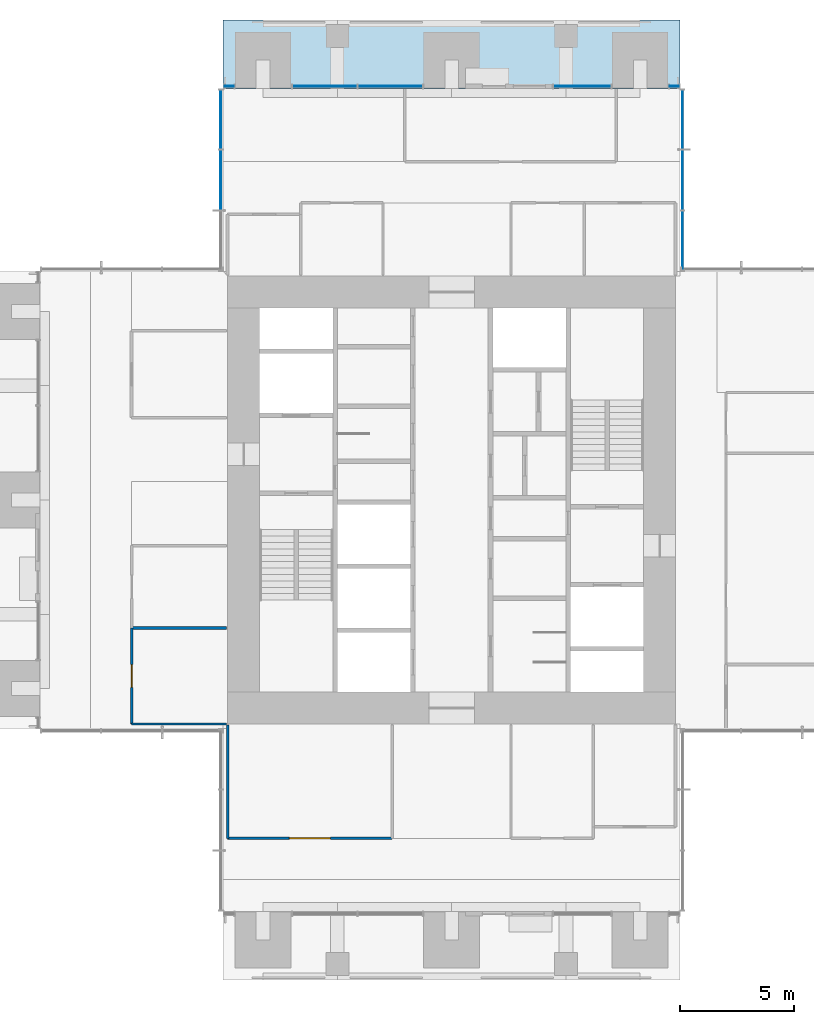
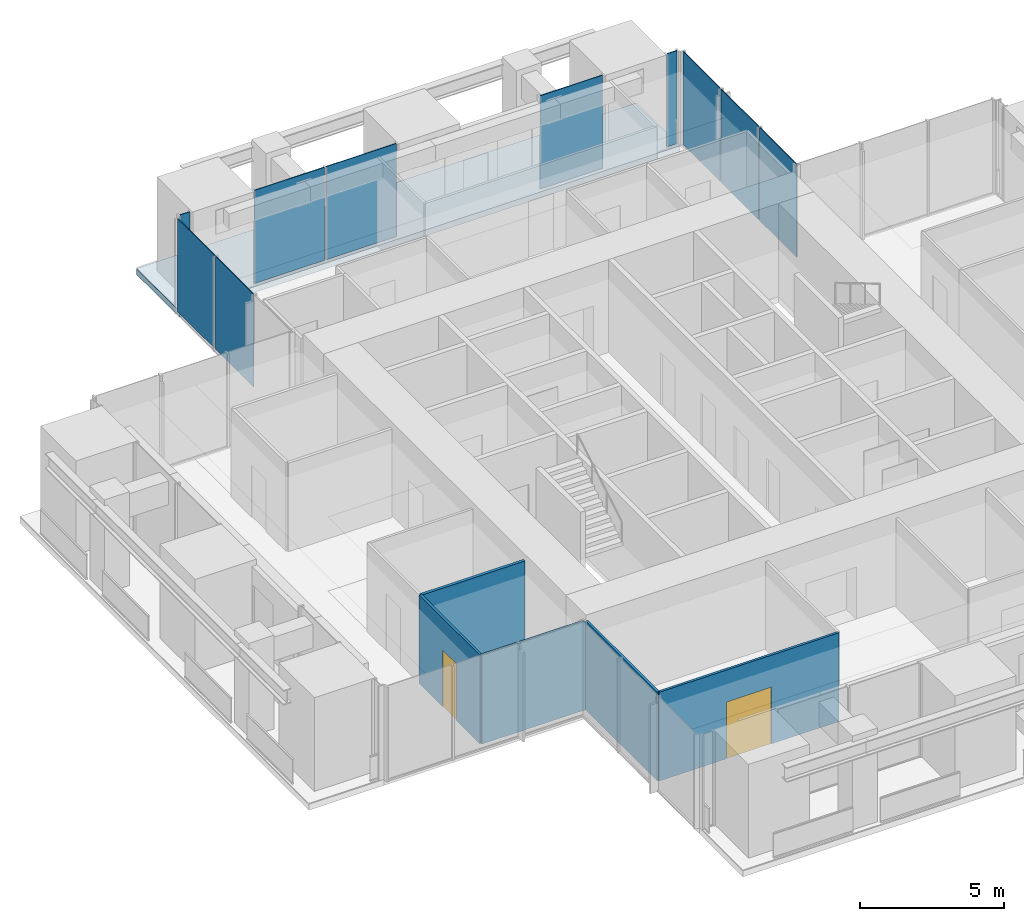
# One storey, part 11 of 17: 10 plates, 5 walls, 2 doors, 1 slab, 2 openings, 6 elements without a shape of their own.
"""IFC4 building model written with IfcOpenShell, lengths in metres."""

from ifc_helpers import new_model, si_unit, direction, frame, frame_2d, origin, origin_2d, place, context, subcontext, project, spatial, polyline, rectangle, outline, extrude, material, layer, layer_set, type_object, element, fill, aggregate, save


model = new_model("IFC4")

# Units and contexts
model_context = context("Model", 3, precision=1e-05, world=origin(), true_north=direction((0.0, 1.0)))
body_context = subcontext(model_context, "Body", "Model", "MODEL_VIEW")
ifc_project = project(units=[si_unit("LENGTHUNIT", "METRE"), si_unit("AREAUNIT", "SQUARE_METRE"), si_unit("VOLUMEUNIT", "CUBIC_METRE"), si_unit("PLANEANGLEUNIT", "RADIAN"), si_unit("MASSUNIT", "GRAM", prefix="KILO")], contexts=[model_context])

# Site, building, storey
site_placement = place(None, origin())
site = spatial("IfcSite", under=ifc_project, at=site_placement, CompositionType="ELEMENT")
building_placement = place(site_placement, origin())
building = spatial("IfcBuilding", under=site, at=building_placement, Name="Svetlomir Tower", CompositionType="ELEMENT")
storey_placement = place(building_placement, frame((0.0, 0.0, 178.5)))
storey = spatial("IfcBuildingStorey", under=building, at=storey_placement, Name="L42", CompositionType="ELEMENT", Elevation=178.5)

# Curtain wall, plates
ifc_material_1 = material(Name="Bronze anodised aluminium curtain wall", Category="aluminium")
curtain_wall_type = type_object("IfcCurtainWallType", Name="CURTAIN WALL CW1 TOWER OFFICE", PredefinedType="NOTDEFINED", material=ifc_material_1)
curtain_wall_1_placement = place(storey_placement, origin())
curtain_wall_1 = element("IfcCurtainWall", 1, at=curtain_wall_1_placement, inside=storey, type_object=curtain_wall_type, Name="Curtain wall CW1 L42", PredefinedType="NOTDEFINED")
ifc_material_2 = material(Name="Tinted double glazed unit", Category="glass")
ifc_layer_1 = layer(ifc_material_2, 0.031982421875)
ifc_layer_set_1 = layer_set([ifc_layer_1], Name="Tinted double glazed unit")
plate_type = type_object("IfcPlateType", Name="CW1 GLAZED PANEL 32", PredefinedType="CURTAIN_PANEL", material=ifc_layer_set_1)
plate_1_placement = place(storey_placement, frame((31.10009765625, 32.349609375, 0.06494140625), z_axis=(0.0, 0.0, 1.0), x_axis=(0.0, 1.0, 0.0)))
plate_1 = element("IfcPlate", 2, at=plate_1_placement, type_object=plate_type, Name="CW1 panel 1.1", PredefinedType="CURTAIN_PANEL", context=body_context, shape_type="SweptSolid", body=[
    extrude(rectangle(XDim=2.569091796875, YDim=0.031982421875, at=origin_2d()), origin(), (0.0, 0.0, 1.0), 3.93505859375),
])
plate_2_placement = place(storey_placement, frame((31.10009765625, 35.0, 0.06494140625), z_axis=(0.0, 0.0, 1.0), x_axis=(0.0, 1.0, 0.0)))
plate_2 = element("IfcPlate", 3, at=plate_2_placement, type_object=plate_type, Name="CW1 panel 2.1", PredefinedType="CURTAIN_PANEL", context=body_context, shape_type="SweptSolid", body=[
    extrude(rectangle(XDim=2.6015625, YDim=0.031982421875, at=origin_2d()), origin(), (0.0, 0.0, 1.0), 3.93505859375),
])
plate_3_placement = place(storey_placement, frame((31.10009765625, 37.650390625, 0.06494140625), z_axis=(0.0, 0.0, 1.0), x_axis=(0.0, 1.0, 0.0)))
plate_3 = element("IfcPlate", 4, at=plate_3_placement, type_object=plate_type, Name="CW1 panel 3.1", PredefinedType="CURTAIN_PANEL", context=body_context, shape_type="SweptSolid", body=[
    extrude(rectangle(XDim=2.569091796875, YDim=0.031982421875, at=origin_2d()), origin(), (0.0, 0.0, 1.0), 3.93505859375),
])
aggregate(curtain_wall_1, [plate_1, plate_2, plate_3])

# Curtain wall, plate
curtain_wall_2_placement = place(storey_placement, origin())
curtain_wall_2 = element("IfcCurtainWall", 5, at=curtain_wall_2_placement, inside=storey, type_object=curtain_wall_type, Name="Curtain wall CW1 L42", PredefinedType="NOTDEFINED")
plate_4_placement = place(storey_placement, frame((30.737548828125, 39.10009765625, 0.06494140625), z_axis=(0.0, 0.0, 1.0), x_axis=(-1.0, 0.0, 0.0)))
plate_4 = element("IfcPlate", 6, at=plate_4_placement, type_object=plate_type, Name="CW1 panel 1.1", PredefinedType="CURTAIN_PANEL", context=body_context, shape_type="SweptSolid", body=[
    extrude(rectangle(XDim=0.39501953125, YDim=0.031982421875, at=origin_2d()), origin(), (0.0, 0.0, 1.0), 3.93505859375),
])
aggregate(curtain_wall_2, [plate_4])

curtain_wall_3_placement = place(storey_placement, origin())
curtain_wall_3 = element("IfcCurtainWall", 7, at=curtain_wall_3_placement, inside=storey, type_object=curtain_wall_type, Name="Curtain wall CW1 L42", PredefinedType="NOTDEFINED")
plate_5_placement = place(storey_placement, frame((26.71240234375, 39.10009765625, 0.06494140625), z_axis=(0.0, 0.0, 1.0), x_axis=(-1.0, 0.0, 0.0)))
plate_5 = element("IfcPlate", 8, at=plate_5_placement, type_object=plate_type, Name="CW1 panel 1.1", PredefinedType="CURTAIN_PANEL", context=body_context, shape_type="SweptSolid", body=[
    extrude(rectangle(XDim=2.4951171875, YDim=0.031982421875, at=origin_2d()), origin(), (0.0, 0.0, 1.0), 3.93505859375),
])
aggregate(curtain_wall_3, [plate_5])

# Curtain wall, plates
curtain_wall_4_placement = place(storey_placement, origin())
curtain_wall_4 = element("IfcCurtainWall", 9, at=curtain_wall_4_placement, inside=storey, type_object=curtain_wall_type, Name="Curtain wall CW1 L42", PredefinedType="NOTDEFINED")
plate_6_placement = place(storey_placement, frame((18.308837890625, 39.10009765625, 0.06494140625), z_axis=(0.0, 0.0, 1.0), x_axis=(-1.0, 0.0, 0.0)))
plate_6 = element("IfcPlate", 10, at=plate_6_placement, type_object=plate_type, Name="CW1 panel 1.1", PredefinedType="CURTAIN_PANEL", context=body_context, shape_type="SweptSolid", body=[
    extrude(rectangle(XDim=2.802490234375, YDim=0.031982421875, at=origin_2d()), origin(), (0.0, 0.0, 1.0), 3.93505859375),
])
plate_7_placement = place(storey_placement, frame((15.441162109375, 39.10009765625, 0.06494140625), z_axis=(0.0, 0.0, 1.0), x_axis=(-1.0, 0.0, 0.0)))
plate_7 = element("IfcPlate", 11, at=plate_7_placement, type_object=plate_type, Name="CW1 panel 2.1", PredefinedType="CURTAIN_PANEL", context=body_context, shape_type="SweptSolid", body=[
    extrude(rectangle(XDim=2.802490234375, YDim=0.031982421875, at=origin_2d()), origin(), (0.0, 0.0, 1.0), 3.93505859375),
])
aggregate(curtain_wall_4, [plate_6, plate_7])

# Curtain wall, plate
curtain_wall_5_placement = place(storey_placement, origin())
curtain_wall_5 = element("IfcCurtainWall", 12, at=curtain_wall_5_placement, inside=storey, type_object=curtain_wall_type, Name="Curtain wall CW1 L42", PredefinedType="NOTDEFINED")
plate_8_placement = place(storey_placement, frame((11.262451171875, 39.10009765625, 0.06494140625), z_axis=(0.0, 0.0, 1.0), x_axis=(-1.0, 0.0, 0.0)))
plate_8 = element("IfcPlate", 13, at=plate_8_placement, type_object=plate_type, Name="CW1 panel 1.1", PredefinedType="CURTAIN_PANEL", context=body_context, shape_type="SweptSolid", body=[
    extrude(rectangle(XDim=0.39501953125, YDim=0.031982421875, at=origin_2d()), origin(), (0.0, 0.0, 1.0), 3.93505859375),
])
aggregate(curtain_wall_5, [plate_8])

# Curtain wall, plates
curtain_wall_6_placement = place(storey_placement, origin())
curtain_wall_6 = element("IfcCurtainWall", 14, at=curtain_wall_6_placement, inside=storey, type_object=curtain_wall_type, Name="Curtain wall CW1 L42", PredefinedType="NOTDEFINED")
plate_9_placement = place(storey_placement, frame((10.89990234375, 37.650390625, 0.06494140625), z_axis=(0.0, 0.0, 1.0), x_axis=(0.0, -1.0, 0.0)))
plate_9 = element("IfcPlate", 15, at=plate_9_placement, type_object=plate_type, Name="CW1 panel 1.1", PredefinedType="CURTAIN_PANEL", context=body_context, shape_type="SweptSolid", body=[
    extrude(rectangle(XDim=2.569091796875, YDim=0.031982421875, at=origin_2d()), origin(), (0.0, 0.0, 1.0), 3.93505859375),
])
plate_10_placement = place(storey_placement, frame((10.89990234375, 35.0, 0.06494140625), z_axis=(0.0, 0.0, 1.0), x_axis=(0.0, -1.0, 0.0)))
plate_10 = element("IfcPlate", 16, at=plate_10_placement, type_object=plate_type, Name="CW1 panel 2.1", PredefinedType="CURTAIN_PANEL", context=body_context, shape_type="SweptSolid", body=[
    extrude(rectangle(XDim=2.6015625, YDim=0.031982421875, at=origin_2d()), origin(), (0.0, 0.0, 1.0), 3.93505859375),
])
aggregate(curtain_wall_6, [plate_9, plate_10])

# Slab
ifc_material_3 = material(Name="Concrete C60/75", Category="concrete")
ifc_layer_2 = layer(ifc_material_3, 0.25)
ifc_layer_set_2 = layer_set([ifc_layer_2], Name="Concrete C60/75")
slab_type = type_object("IfcSlabType", Name="PLANTED LOGGIA SLAB 250", PredefinedType="FLOOR", material=ifc_layer_set_2)
slab_placement = place(storey_placement, frame((0.0, 0.0, -0.25)))
element("IfcSlab", 17, at=slab_placement, inside=storey, type_object=slab_type, Name="L42 N planted loggia", PredefinedType="FLOOR", context=body_context, shape_type="SweptSolid", body=[
    extrude(outline(polyline([(11.0, 39.0), (31.0, 39.0), (31.0, 42.0), (11.0, 42.0), (11.0, 39.0)])), origin(), (0.0, 0.0, 1.0), 0.25),
])

# Wall, opening, door
ifc_material_4 = material(Name="Framed laminated glass partition", Category="glass")
ifc_layer_3 = layer(ifc_material_4, 0.10009765625)
ifc_layer_set_3 = layer_set([ifc_layer_3], Name="Framed laminated glass partition")
wall_type_1 = type_object("IfcWallType", Name="GLAZED PARTITION 100", PredefinedType="PARTITIONING", material=ifc_layer_set_3)
wall_1_placement = place(storey_placement, frame((7.0, 11.199951171875, 0.0), z_axis=(0.0, 0.0, 1.0), x_axis=(0.0, 1.0, 0.0)))
wall_1 = element("IfcWall", 18, at=wall_1_placement, inside=storey, type_object=wall_type_1, Name="Glazed partition L42", PredefinedType="PARTITIONING", context=body_context, shape_type="SweptSolid", body=[
    extrude(rectangle(XDim=4.199951171875, YDim=0.10009765625, at=frame_2d((2.10009765625, 0.0))), origin(), (0.0, 0.0, 1.0), 3.75),
])
opening_1_placement = place(wall_1_placement, frame((1.60009765625, 0.0, 0.0)))
opening_1 = element("IfcOpeningElement", 19, at=opening_1_placement, cuts=wall_1, Name="Opening DG", PredefinedType="OPENING", context=body_context, shape_type="SweptSolid", body=[
    extrude(rectangle(XDim=1.0, YDim=2.39990234375, at=frame_2d((0.5, 1.199951171875))), frame((0.0, 0.06005859375, 0.0), z_axis=(0.0, -1.0, 0.0), x_axis=(1.0, 0.0, 0.0)), (0.0, 0.0, 1.0), 0.1201171875),
])
ifc_material_5 = material(Name="Framed laminated glass door", Category="glass")
door_type_1 = type_object("IfcDoorType", Name="GLAZED DOOR DG 1000x2400", OperationType="SINGLE_SWING_LEFT", PredefinedType="DOOR", material=ifc_material_5)
door_1_placement = place(opening_1_placement, origin())
door_1 = element("IfcDoor", 20, at=door_1_placement, inside=storey, type_object=door_type_1, Name="Meeting room, 4 seats door L42", OperationType="SINGLE_SWING_LEFT", OverallHeight=2.39990234375, OverallWidth=1.0, PredefinedType="DOOR", context=body_context, shape_type="SweptSolid", body=[
    extrude(rectangle(XDim=1.0, YDim=2.39990234375, at=frame_2d((0.5, 1.199951171875))), frame((0.0, 0.02490234375, 0.0), z_axis=(0.0, -1.0, 0.0), x_axis=(1.0, 0.0, 0.0)), (0.0, 0.0, 1.0), 0.050048828125),
])
fill(opening_1, door_1)

# Walls
wall_2_placement = place(storey_placement, frame((7.0, 11.199951171875, 0.0), z_axis=(0.0, 0.0, 1.0), x_axis=(1.0, 0.0, 0.0)))
element("IfcWall", 21, at=wall_2_placement, inside=storey, type_object=wall_type_1, Name="Glazed partition L42", PredefinedType="PARTITIONING", context=body_context, shape_type="SweptSolid", body=[
    extrude(rectangle(XDim=4.14990234375, YDim=0.10009765625, at=frame_2d((2.074951171875, 0.0))), origin(), (0.0, 0.0, 1.0), 3.75),
])
wall_3_placement = place(storey_placement, frame((11.199951171875, 6.199951171875, 0.0), z_axis=(0.0, 0.0, 1.0), x_axis=(0.0, 1.0, 0.0)))
element("IfcWall", 22, at=wall_3_placement, inside=storey, type_object=wall_type_1, Name="Glazed partition L42", PredefinedType="PARTITIONING", context=body_context, shape_type="SweptSolid", body=[
    extrude(rectangle(XDim=4.949951171875, YDim=0.10009765625, at=frame_2d((2.47509765625, 0.0))), origin(), (0.0, 0.0, 1.0), 3.75),
])

# Wall, opening, door
wall_4_placement = place(storey_placement, frame((11.199951171875, 6.199951171875, 0.0), z_axis=(0.0, 0.0, 1.0), x_axis=(1.0, 0.0, 0.0)))
wall_4 = element("IfcWall", 23, at=wall_4_placement, inside=storey, type_object=wall_type_1, Name="Glazed partition L42", PredefinedType="PARTITIONING", context=body_context, shape_type="SweptSolid", body=[
    extrude(rectangle(XDim=7.199951171875, YDim=0.10009765625, at=frame_2d((3.60009765625, 0.0))), origin(), (0.0, 0.0, 1.0), 3.75),
])
opening_2_placement = place(wall_4_placement, frame((2.699951171875, 0.0, 0.0)))
opening_2 = element("IfcOpeningElement", 24, at=opening_2_placement, cuts=wall_4, Name="Opening DD", PredefinedType="OPENING", context=body_context, shape_type="SweptSolid", body=[
    extrude(rectangle(XDim=1.800048828125, YDim=2.39990234375, at=frame_2d((0.89990234375, 1.199951171875))), frame((0.0, 0.06005859375, 0.0), z_axis=(0.0, -1.0, 0.0), x_axis=(1.0, 0.0, 0.0)), (0.0, 0.0, 1.0), 0.1201171875),
])
ifc_material_6 = material(Name="Timber door", Category="wood")
door_type_2 = type_object("IfcDoorType", Name="DOOR DD 1800x2400", OperationType="DOUBLE_DOOR_SINGLE_SWING", PredefinedType="DOOR", material=ifc_material_6)
door_2_placement = place(opening_2_placement, origin())
door_2 = element("IfcDoor", 25, at=door_2_placement, inside=storey, type_object=door_type_2, Name="Stakeholder workshop room, 16 seats door L42", OperationType="DOUBLE_DOOR_SINGLE_SWING", OverallHeight=2.39990234375, OverallWidth=1.800048828125, PredefinedType="DOOR", context=body_context, shape_type="SweptSolid", body=[
    extrude(rectangle(XDim=1.800048828125, YDim=2.39990234375, at=frame_2d((0.89990234375, 1.199951171875))), frame((0.0, 0.02490234375, 0.0), z_axis=(0.0, -1.0, 0.0), x_axis=(1.0, 0.0, 0.0)), (0.0, 0.0, 1.0), 0.050048828125),
])
fill(opening_2, door_2)

# Wall
ifc_material_7 = material(Name="Gypsum board on steel studs", Category="steel")
ifc_layer_4 = layer(ifc_material_7, 0.1201171875)
ifc_layer_set_4 = layer_set([ifc_layer_4], Name="Gypsum board on steel studs")
wall_type_2 = type_object("IfcWallType", Name="PARTITION 120", PredefinedType="PARTITIONING", material=ifc_layer_set_4)
wall_5_placement = place(storey_placement, frame((7.0, 15.39990234375, 0.0), z_axis=(0.0, 0.0, 1.0), x_axis=(1.0, 0.0, 0.0)))
element("IfcWall", 26, at=wall_5_placement, inside=storey, type_object=wall_type_2, Name="Partition L42", PredefinedType="PARTITIONING", context=body_context, shape_type="SweptSolid", body=[
    extrude(rectangle(XDim=4.14990234375, YDim=0.1201171875, at=frame_2d((2.074951171875, 0.0))), origin(), (0.0, 0.0, 1.0), 3.75),
])

save(model, "model.ifc")
